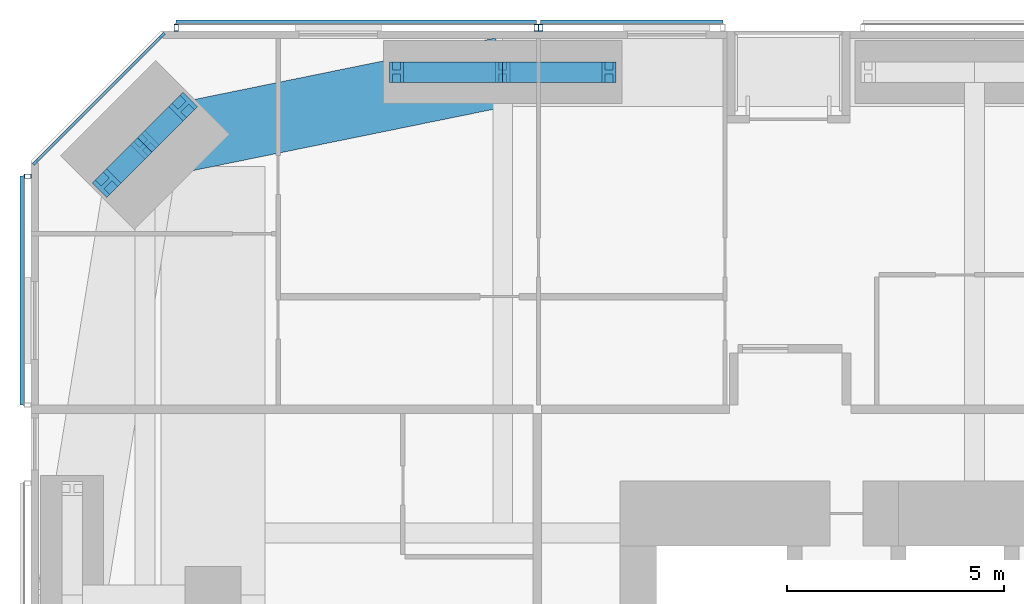
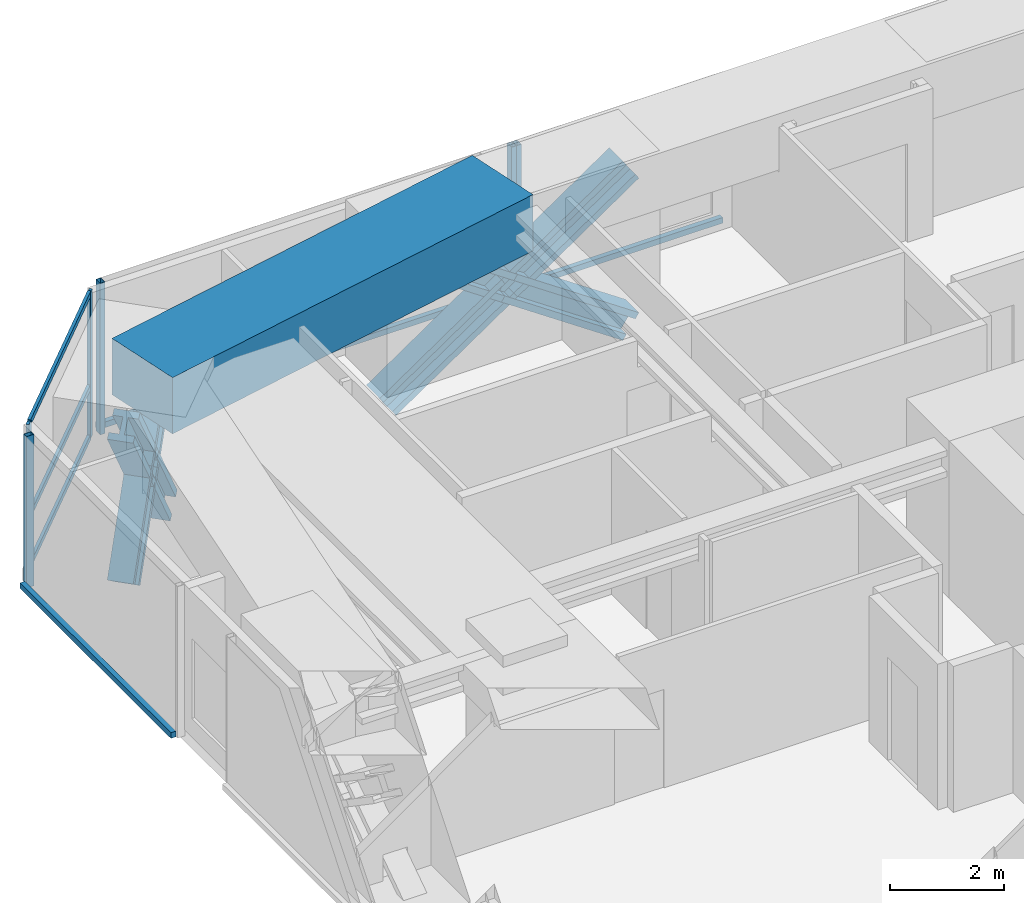
# One storey, part 12 of 25: 20 members, 1 beam, 4 elements without a shape of their own.
"""IFC4 building model written with IfcOpenShell, lengths in metres."""

from ifc_helpers import new_model, si_unit, direction, frame, origin, origin_2d, place, context, subcontext, project, spatial, rectangle, hollow_rectangle, i_section, extrude, material, material_profile, profile_set, type_object, element, aggregate, save


model = new_model("IFC4")

# Units and contexts
model_context = context("Model", 3, precision=1e-05, world=origin(), true_north=direction((0.0, 1.0)))
body_context = subcontext(model_context, "Body", "Model", "MODEL_VIEW")
ifc_project = project(units=[si_unit("LENGTHUNIT", "METRE"), si_unit("AREAUNIT", "SQUARE_METRE"), si_unit("VOLUMEUNIT", "CUBIC_METRE"), si_unit("PLANEANGLEUNIT", "RADIAN"), si_unit("MASSUNIT", "GRAM", prefix="KILO")], contexts=[model_context])

# Site, building, storey
site_placement = place(None, origin())
site = spatial("IfcSite", under=ifc_project, at=site_placement, CompositionType="ELEMENT")
building_placement = place(site_placement, origin())
building = spatial("IfcBuilding", under=site, at=building_placement, Name="Jalousie Tower", CompositionType="ELEMENT")
storey_placement = place(building_placement, frame((0.0, 0.0, 101.5)))
storey = spatial("IfcBuildingStorey", under=building, at=storey_placement, Name="L27", CompositionType="ELEMENT", Elevation=101.5)

# Curtain wall, members
ifc_material_1 = material(Name="Aluminium curtain wall", Category="aluminium")
curtain_wall_type_1 = type_object("IfcCurtainWallType", Name="CORNER WINDOW WALL", PredefinedType="USERDEFINED", material=ifc_material_1)
curtain_wall_1_placement = place(storey_placement, origin())
curtain_wall_1 = element("IfcCurtainWall", 1, at=curtain_wall_1_placement, inside=storey, type_object=curtain_wall_type_1, Name="Corner Window Wall L27 6", ObjectType="CORNER WINDOW WALL", PredefinedType="USERDEFINED")
ifc_material_2 = material(Name="Aluminium mullion", Category="aluminium")
ifc_material_profile_1 = material_profile(ifc_material_2, rectangle(XDim=0.06005859375, YDim=0.14990234375, at=origin_2d()), Name="MULLION 60x150")
ifc_profile_set_1 = profile_set([ifc_material_profile_1], Name="Aluminium mullion")
member_type_1 = type_object("IfcMemberType", Name="CORNER WINDOW WALL MULLION", PredefinedType="MULLION", material=ifc_profile_set_1)
member_1_placement = place(storey_placement, frame((9.030029296875, 37.891357421875, 0.0), z_axis=(0.0, 0.0, 1.0), x_axis=(0.707106781187, -0.707106781187, 0.0)))
member_1 = element("IfcMember", 2, at=member_1_placement, type_object=member_type_1, Name="CW-C mullion 1", PredefinedType="MULLION", context=body_context, shape_type="SweptSolid", body=[
    extrude(rectangle(XDim=0.06005859375, YDim=0.14990234375, at=origin_2d()), origin(), (0.0, 0.0, 1.0), 3.110107421875),
])
member_2_placement = place(storey_placement, frame((6.108642578125, 34.969970703125, 0.0), z_axis=(0.0, 0.0, 1.0), x_axis=(0.707106781187, -0.707106781187, 0.0)))
member_2 = element("IfcMember", 3, at=member_2_placement, type_object=member_type_1, Name="CW-C mullion 2", PredefinedType="MULLION", context=body_context, shape_type="SweptSolid", body=[
    extrude(rectangle(XDim=0.06005859375, YDim=0.14990234375, at=origin_2d()), origin(), (0.0, 0.0, 1.0), 3.110107421875),
])
ifc_material_3 = material(Name="Aluminium transom", Category="aluminium")
ifc_material_profile_2 = material_profile(ifc_material_3, rectangle(XDim=0.06005859375, YDim=0.1201171875, at=origin_2d()), Name="TRANSOM 60x120")
ifc_profile_set_2 = profile_set([ifc_material_profile_2], Name="Aluminium transom")
member_type_2 = type_object("IfcMemberType", Name="CORNER WINDOW WALL TRANSOM", PredefinedType="USERDEFINED", material=ifc_profile_set_2)
member_3_placement = place(storey_placement, frame((9.0087890625, 37.8701171875, 0.030029296875), z_axis=(-0.707106781187, -0.707106781187, 0.0), x_axis=(0.707106781187, -0.707106781187, 0.0)))
member_3 = element("IfcMember", 4, at=member_3_placement, type_object=member_type_2, Name="CW-C transom 1.1", ObjectType="TRANSOM", PredefinedType="USERDEFINED", context=body_context, shape_type="SweptSolid", body=[
    extrude(rectangle(XDim=0.06005859375, YDim=0.1201171875, at=origin_2d()), origin(), (0.0, 0.0, 1.0), 4.0712890625),
])
member_4_placement = place(storey_placement, frame((9.0087890625, 37.8701171875, 1.10009765625), z_axis=(-0.707106781187, -0.707106781187, 0.0), x_axis=(0.707106781187, -0.707106781187, 0.0)))
member_4 = element("IfcMember", 5, at=member_4_placement, type_object=member_type_2, Name="CW-C transom 1.2", ObjectType="TRANSOM", PredefinedType="USERDEFINED", context=body_context, shape_type="SweptSolid", body=[
    extrude(rectangle(XDim=0.06005859375, YDim=0.1201171875, at=origin_2d()), origin(), (0.0, 0.0, 1.0), 4.0712890625),
])
member_5_placement = place(storey_placement, frame((9.0087890625, 37.8701171875, 3.080078125), z_axis=(-0.707106781187, -0.707106781187, 0.0), x_axis=(0.707106781187, -0.707106781187, 0.0)))
member_5 = element("IfcMember", 6, at=member_5_placement, type_object=member_type_2, Name="CW-C transom 1.3", ObjectType="TRANSOM", PredefinedType="USERDEFINED", context=body_context, shape_type="SweptSolid", body=[
    extrude(rectangle(XDim=0.06005859375, YDim=0.1201171875, at=origin_2d()), origin(), (0.0, 0.0, 1.0), 4.0712890625),
])
aggregate(curtain_wall_1, [member_1, member_2, member_3, member_4, member_5])

# Members
ifc_material_4 = material(Name="Steel ASTM A992 Grade 50", Category="steel")
ifc_material_profile_3 = material_profile(ifc_material_4, i_section(OverallWidth=0.472412109375, OverallDepth=0.5791015625, WebThickness=0.094970703125, FlangeThickness=0.1298828125, at=origin_2d()), Name="W14X808")
ifc_profile_set_3 = profile_set([ifc_material_profile_3], Name="Steel ASTM A992 Grade 50")
member_type_3 = type_object("IfcMemberType", Name="PERIMETER BRACE W14X808", PredefinedType="BRACE", material=ifc_profile_set_3)
for number, where, z_axis, x_axis, name in (
    (7, (14.425048828125, 37.050048828125, -0.60009765625), (0.825500916831, 0.0, 0.564400776321), (0.0, 1.0, 0.0), "Perimeter brace 11 L27 part 1"),
    (8, (16.875, 37.050048828125, 1.074951171875), (0.825500916831, 0.0, 0.564400776321), (0.0, 1.0, 0.0), "Perimeter brace 11 L27 part 2"),
    (9, (19.324951171875, 37.050048828125, -0.60009765625), (-0.825500916831, 0.0, 0.564400776321), (0.0, -1.0, 0.0), "Perimeter brace 11 L27 part 3"),
    (10, (16.875, 37.050048828125, 1.074951171875), (-0.825500916831, 0.0, 0.564400776321), (0.0, -1.0, 0.0), "Perimeter brace 11 L27 part 4"),
):
    element("IfcMember", number, at=place(storey_placement, frame(where, z_axis=z_axis, x_axis=x_axis)), inside=storey, type_object=member_type_3, Name=name, PredefinedType="BRACE", context=body_context, shape_type="SweptSolid", body=[
        extrude(i_section(OverallWidth=0.472412109375, OverallDepth=0.5791015625, WebThickness=0.094970703125, FlangeThickness=0.1298828125, at=origin_2d()), origin(), (0.0, 0.0, 1.0), 2.9677734375),
    ])
for number, where, z_axis, x_axis, name in (
    (11, (9.515380859375, 36.25244140625, -0.60009765625), (-0.422968528423, -0.422851718556, 0.801432497518), (0.70700912125, -0.707204427637, 0.0), "Perimeter brace 12 L27 part 1"),
    (12, (8.63134765625, 35.36865234375, 1.074951171875), (-0.422851718556, -0.422968528423, 0.801432497518), (0.707204427637, -0.70700912125, 0.0), "Perimeter brace 12 L27 part 2"),
    (13, (7.74755859375, 34.484619140625, -0.60009765625), (0.422851718556, 0.422968528423, 0.801432497518), (-0.707204427637, 0.70700912125, 0.0), "Perimeter brace 12 L27 part 3"),
    (14, (8.63134765625, 35.36865234375, 1.074951171875), (0.422968528423, 0.422851718556, 0.801432497518), (-0.70700912125, 0.707204427637, 0.0), "Perimeter brace 12 L27 part 4"),
):
    element("IfcMember", number, at=place(storey_placement, frame(where, z_axis=z_axis, x_axis=x_axis)), inside=storey, type_object=member_type_3, Name=name, PredefinedType="BRACE", context=body_context, shape_type="SweptSolid", body=[
        extrude(i_section(OverallWidth=0.472412109375, OverallDepth=0.5791015625, WebThickness=0.094970703125, FlangeThickness=0.1298828125, at=origin_2d()), origin(), (0.0, 0.0, 1.0), 2.090087890625),
    ])

# Beam
ifc_material_5 = material(Name="Concrete f'c 40 MPa", Category="concrete")
ifc_material_profile_4 = material_profile(ifc_material_5, rectangle(XDim=1.60009765625, YDim=1.199951171875, at=origin_2d()), Name="RC 1600x1200")
ifc_profile_set_4 = profile_set([ifc_material_profile_4], Name="Concrete f'c 40 MPa")
beam_type = type_object("IfcBeamType", Name="RC BEAM 1600x1200", PredefinedType="BEAM", material=ifc_profile_set_4)
beam_placement = place(storey_placement, frame((16.875, 37.050048828125, 2.75), z_axis=(-0.97982690954, -0.199848010602, 0.0), x_axis=(0.199848010602, -0.97982690954, 0.0)))
element("IfcBeam", 15, at=beam_placement, inside=storey, type_object=beam_type, Name="Edge band beam 11-12 under L28", PredefinedType="BEAM", context=body_context, shape_type="SweptSolid", body=[
    extrude(rectangle(XDim=1.60009765625, YDim=1.199951171875, at=origin_2d()), origin(), (0.0, 0.0, 1.0), 8.413330078125),
])

# Curtain wall, member
ifc_material_6 = material(Name="Perforated aluminium sheet", Category="aluminium")
curtain_wall_type_2 = type_object("IfcCurtainWallType", Name="SOLAR SCREEN SS-1", PredefinedType="USERDEFINED", material=ifc_material_6)
curtain_wall_2_placement = place(storey_placement, origin())
curtain_wall_2 = element("IfcCurtainWall", 16, at=curtain_wall_2_placement, inside=storey, type_object=curtain_wall_type_2, Name="Solar screen L27", ObjectType="SOLAR SCREEN SS-1", PredefinedType="USERDEFINED")
ifc_material_7 = material(Name="Steel ASTM A500 Grade C", Category="steel")
ifc_material_profile_5 = material_profile(ifc_material_7, hollow_rectangle(XDim=0.1015625, YDim=0.15234375, WallThickness=0.00634765625, at=origin_2d()), Name="HSS6X4X1/4")
ifc_profile_set_5 = profile_set([ifc_material_profile_5], Name="Steel ASTM A500 Grade C")
member_type_4 = type_object("IfcMemberType", Name="SOLAR SCREEN SS-1 MULLION", PredefinedType="MULLION", material=ifc_profile_set_5)
member_6_placement = place(storey_placement, frame((17.75, 38.0712890625, -0.1201171875), z_axis=(0.0, 0.0, 1.0), x_axis=(-1.0, 0.0, 0.0)))
member_6 = element("IfcMember", 17, at=member_6_placement, type_object=member_type_4, Name="SS1 post 2", PredefinedType="MULLION", context=body_context, shape_type="SweptSolid", body=[
    extrude(hollow_rectangle(XDim=0.1015625, YDim=0.15234375, WallThickness=0.00634765625, at=origin_2d()), origin(), (0.0, 0.0, 1.0), 3.230224609375),
])

# Curtain wall, members
curtain_wall_3_placement = place(storey_placement, origin())
curtain_wall_3 = element("IfcCurtainWall", 18, at=curtain_wall_3_placement, inside=storey, type_object=curtain_wall_type_2, Name="Solar screen L27", ObjectType="SOLAR SCREEN SS-1", PredefinedType="USERDEFINED")
member_7_placement = place(storey_placement, frame((17.64990234375, 38.0712890625, -0.1201171875), z_axis=(0.0, 0.0, 1.0), x_axis=(-1.0, 0.0, 0.0)))
member_7 = element("IfcMember", 19, at=member_7_placement, type_object=member_type_4, Name="SS1 post 1", PredefinedType="MULLION", context=body_context, shape_type="SweptSolid", body=[
    extrude(hollow_rectangle(XDim=0.1015625, YDim=0.15234375, WallThickness=0.00634765625, at=origin_2d()), origin(), (0.0, 0.0, 1.0), 3.230224609375),
])
member_8_placement = place(storey_placement, frame((9.351318359375, 38.0712890625, -0.1201171875), z_axis=(0.0, 0.0, 1.0), x_axis=(-1.0, 0.0, 0.0)))
member_8 = element("IfcMember", 20, at=member_8_placement, type_object=member_type_4, Name="SS1 post 2", PredefinedType="MULLION", context=body_context, shape_type="SweptSolid", body=[
    extrude(hollow_rectangle(XDim=0.1015625, YDim=0.15234375, WallThickness=0.00634765625, at=origin_2d()), origin(), (0.0, 0.0, 1.0), 3.230224609375),
])

# Curtain wall, member
curtain_wall_4_placement = place(storey_placement, origin())
curtain_wall_4 = element("IfcCurtainWall", 21, at=curtain_wall_4_placement, inside=storey, type_object=curtain_wall_type_2, Name="Solar screen L27", ObjectType="SOLAR SCREEN SS-1", PredefinedType="USERDEFINED")
member_9_placement = place(storey_placement, frame((5.9287109375, 34.648681640625, -0.1201171875), z_axis=(0.0, 0.0, 1.0), x_axis=(0.0, -1.0, 0.0)))
member_9 = element("IfcMember", 22, at=member_9_placement, type_object=member_type_4, Name="SS1 post 1", PredefinedType="MULLION", context=body_context, shape_type="SweptSolid", body=[
    extrude(hollow_rectangle(XDim=0.1015625, YDim=0.15234375, WallThickness=0.00634765625, at=origin_2d()), origin(), (0.0, 0.0, 1.0), 3.230224609375),
])

# Member
ifc_material_8 = material(Name="Extruded aluminium screen rail", Category="aluminium")
ifc_material_profile_6 = material_profile(ifc_material_8, rectangle(XDim=0.1015625, YDim=0.1201171875, at=origin_2d()), Name="RAIL 102x120")
ifc_profile_set_6 = profile_set([ifc_material_profile_6], Name="Extruded aluminium screen rail")
member_type_5 = type_object("IfcMemberType", Name="SOLAR SCREEN SS-1 TRANSOM", PredefinedType="USERDEFINED", material=ifc_profile_set_6)
member_10_placement = place(storey_placement, frame((21.949951171875, 38.1982421875, -0.06005859375), z_axis=(-1.0, 0.0, 0.0), x_axis=(0.0, -1.0, 0.0)))
member_10 = element("IfcMember", 23, at=member_10_placement, type_object=member_type_5, Name="SS1 rail", ObjectType="TRANSOM", PredefinedType="USERDEFINED", context=body_context, shape_type="SweptSolid", body=[
    extrude(rectangle(XDim=0.1015625, YDim=0.1201171875, at=origin_2d()), origin(), (0.0, 0.0, 1.0), 4.199951171875),
])

aggregate(curtain_wall_2, [member_6, member_10])

member_11_placement = place(storey_placement, frame((17.64990234375, 38.1982421875, -0.06005859375), z_axis=(-1.0, 0.0, 0.0), x_axis=(0.0, -1.0, 0.0)))
member_11 = element("IfcMember", 24, at=member_11_placement, type_object=member_type_5, Name="SS1 rail", ObjectType="TRANSOM", PredefinedType="USERDEFINED", context=body_context, shape_type="SweptSolid", body=[
    extrude(rectangle(XDim=0.1015625, YDim=0.1201171875, at=origin_2d()), origin(), (0.0, 0.0, 1.0), 8.298583984375),
])

aggregate(curtain_wall_3, [member_7, member_8, member_11])

member_12_placement = place(storey_placement, frame((5.8017578125, 34.648681640625, -0.06005859375), z_axis=(0.0, -1.0, 0.0), x_axis=(1.0, 0.0, 0.0)))
member_12 = element("IfcMember", 25, at=member_12_placement, type_object=member_type_5, Name="SS1 rail", ObjectType="TRANSOM", PredefinedType="USERDEFINED", context=body_context, shape_type="SweptSolid", body=[
    extrude(rectangle(XDim=0.1015625, YDim=0.1201171875, at=origin_2d()), origin(), (0.0, 0.0, 1.0), 5.273681640625),
])

aggregate(curtain_wall_4, [member_9, member_12])

save(model, "model.ifc")
